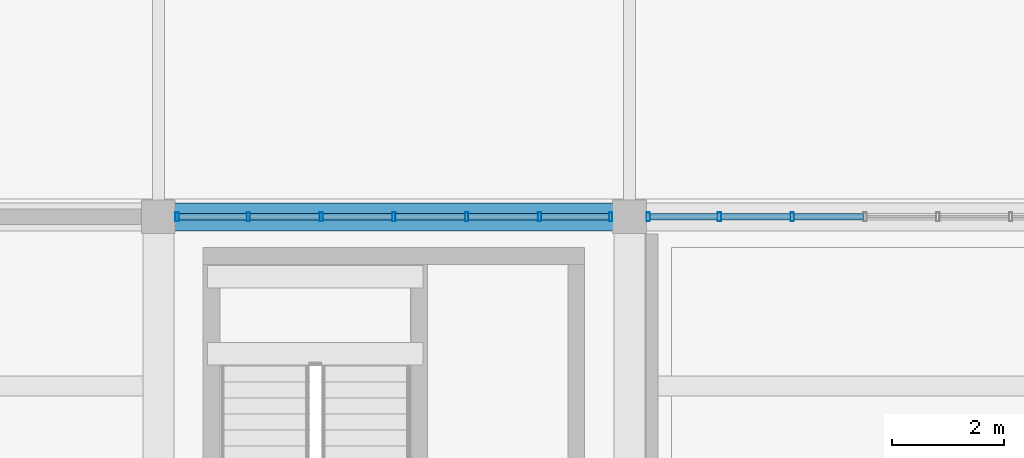
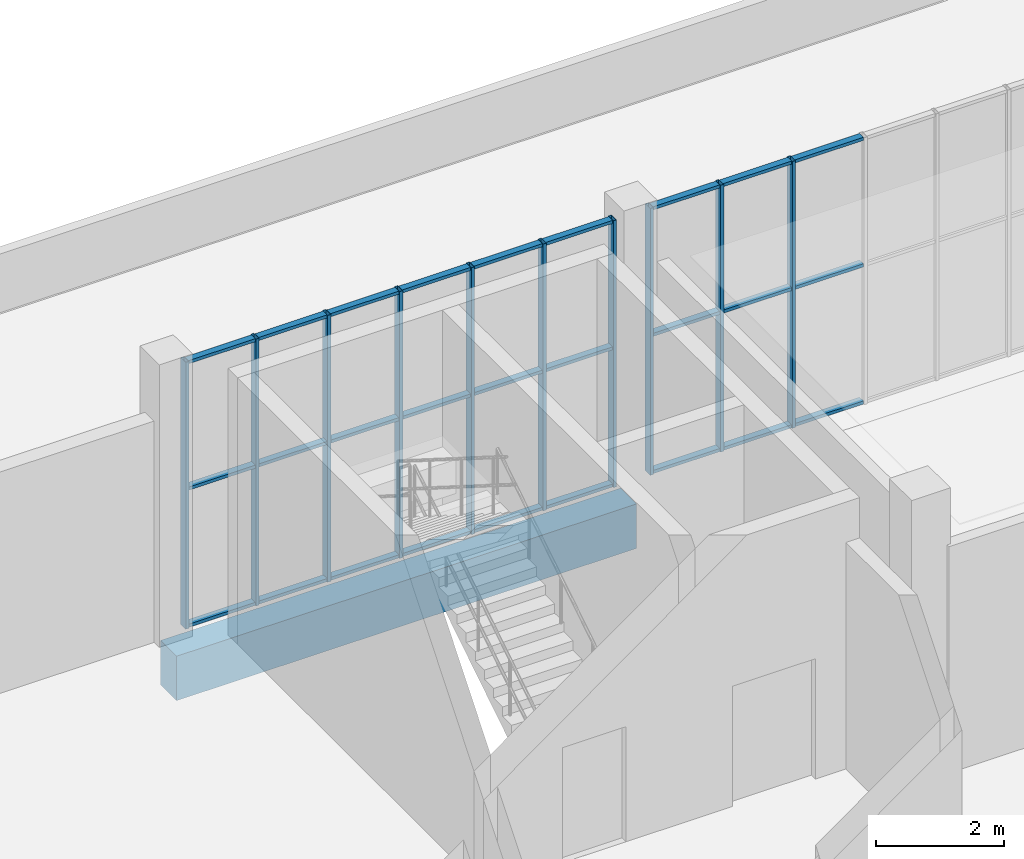
# One storey, part 85 of 132: 37 members, 1 beam, 2 elements without a shape of their own.
"""IFC4 building model written with IfcOpenShell, lengths in metres."""

from ifc_helpers import new_model, si_unit, direction, frame, origin, origin_2d, place, context, subcontext, project, spatial, rectangle, hollow_rectangle, extrude, material, material_profile, profile_set, type_object, element, aggregate, save


model = new_model("IFC4")

# Units and contexts
model_context = context("Model", 3, precision=1e-05, world=origin(), true_north=direction((0.0, 1.0)))
body_context = subcontext(model_context, "Body", "Model", "MODEL_VIEW")
ifc_project = project(units=[si_unit("LENGTHUNIT", "METRE"), si_unit("AREAUNIT", "SQUARE_METRE"), si_unit("VOLUMEUNIT", "CUBIC_METRE"), si_unit("PLANEANGLEUNIT", "RADIAN"), si_unit("MASSUNIT", "GRAM", prefix="KILO")], contexts=[model_context])

# Site, building, storey
site_placement = place(None, origin())
site = spatial("IfcSite", under=ifc_project, at=site_placement, CompositionType="ELEMENT")
building_placement = place(site_placement, origin())
building = spatial("IfcBuilding", under=site, at=building_placement, Name="Khurvash Pelagic Aquarium", CompositionType="ELEMENT")
storey_placement = place(building_placement, frame((0.0, 0.0, 5.39990234375)))
storey = spatial("IfcBuildingStorey", under=building, at=storey_placement, Name="L01", CompositionType="ELEMENT", Elevation=5.39990234375)

# Curtain wall, members
ifc_material_1 = material(Name="Anodised aluminium and low-E laminated glass", Category="aluminium")
curtain_wall_type = type_object("IfcCurtainWallType", Name="CW-05", PredefinedType="USERDEFINED", material=ifc_material_1)
curtain_wall_1_placement = place(storey_placement, origin())
curtain_wall_1 = element("IfcCurtainWall", 1, at=curtain_wall_1_placement, inside=storey, type_object=curtain_wall_type, Name="L01 Facade Unitised Curtain Wall CW-05 0117", ObjectType="UNITISED CURTAIN WALL", PredefinedType="USERDEFINED")
ifc_material_2 = material(Name="Extruded aluminium AW-6063-T6", Category="aluminium")
ifc_material_profile_1 = material_profile(ifc_material_2, hollow_rectangle(XDim=0.06005859375, YDim=0.159912109375, WallThickness=0.00390625, at=origin_2d()), Name="CWM60X160X4")
ifc_profile_set_1 = profile_set([ifc_material_profile_1], Name="Extruded aluminium AW-6063-T6")
member_type_1 = type_object("IfcMemberType", Name="CM-02", PredefinedType="MULLION", material=ifc_profile_set_1)
member_1_placement = place(storey_placement, frame((78.501708984375, 102.14990234375, 0.0), z_axis=(0.0, 0.0, 1.0), x_axis=(-1.0, 0.0, 0.0)))
member_1 = element("IfcMember", 2, at=member_1_placement, type_object=member_type_1, Name="CW-05 mullion 5", PredefinedType="MULLION", context=body_context, shape_type="SweptSolid", body=[
    extrude(hollow_rectangle(XDim=0.06005859375, YDim=0.159912109375, WallThickness=0.00390625, at=origin_2d()), origin(), (0.0, 0.0, 1.0), 5.10009765625),
])
member_2_placement = place(storey_placement, frame((77.203369140625, 102.14990234375, 0.0), z_axis=(0.0, 0.0, 1.0), x_axis=(-1.0, 0.0, 0.0)))
member_2 = element("IfcMember", 3, at=member_2_placement, type_object=member_type_1, Name="CW-05 mullion 6", PredefinedType="MULLION", context=body_context, shape_type="SweptSolid", body=[
    extrude(hollow_rectangle(XDim=0.06005859375, YDim=0.159912109375, WallThickness=0.00390625, at=origin_2d()), origin(), (0.0, 0.0, 1.0), 5.10009765625),
])
member_3_placement = place(storey_placement, frame((75.93505859375, 102.14990234375, 0.0), z_axis=(0.0, 0.0, 1.0), x_axis=(-1.0, 0.0, 0.0)))
member_3 = element("IfcMember", 4, at=member_3_placement, type_object=member_type_1, Name="CW-05 mullion 7", PredefinedType="MULLION", context=body_context, shape_type="SweptSolid", body=[
    extrude(hollow_rectangle(XDim=0.06005859375, YDim=0.159912109375, WallThickness=0.00390625, at=origin_2d()), origin(), (0.0, 0.0, 1.0), 5.10009765625),
])

curtain_wall_2_placement = place(storey_placement, origin())
curtain_wall_2 = element("IfcCurtainWall", 5, at=curtain_wall_2_placement, inside=storey, type_object=curtain_wall_type, Name="L01 Facade Unitised Curtain Wall CW-05 0118", ObjectType="UNITISED CURTAIN WALL", PredefinedType="USERDEFINED")
member_4_placement = place(storey_placement, frame((75.264892578125, 102.14990234375, 0.0), z_axis=(0.0, 0.0, 1.0), x_axis=(-1.0, 0.0, 0.0)))
member_4 = element("IfcMember", 6, at=member_4_placement, type_object=member_type_1, Name="CW-05 mullion 1", PredefinedType="MULLION", context=body_context, shape_type="SweptSolid", body=[
    extrude(hollow_rectangle(XDim=0.06005859375, YDim=0.159912109375, WallThickness=0.00390625, at=origin_2d()), origin(), (0.0, 0.0, 1.0), 5.10009765625),
])
member_5_placement = place(storey_placement, frame((73.99658203125, 102.14990234375, 0.0), z_axis=(0.0, 0.0, 1.0), x_axis=(-1.0, 0.0, 0.0)))
member_5 = element("IfcMember", 7, at=member_5_placement, type_object=member_type_1, Name="CW-05 mullion 2", PredefinedType="MULLION", context=body_context, shape_type="SweptSolid", body=[
    extrude(hollow_rectangle(XDim=0.06005859375, YDim=0.159912109375, WallThickness=0.00390625, at=origin_2d()), origin(), (0.0, 0.0, 1.0), 5.10009765625),
])
member_6_placement = place(storey_placement, frame((72.6982421875, 102.14990234375, 0.0), z_axis=(0.0, 0.0, 1.0), x_axis=(-1.0, 0.0, 0.0)))
member_6 = element("IfcMember", 8, at=member_6_placement, type_object=member_type_1, Name="CW-05 mullion 3", PredefinedType="MULLION", context=body_context, shape_type="SweptSolid", body=[
    extrude(hollow_rectangle(XDim=0.06005859375, YDim=0.159912109375, WallThickness=0.00390625, at=origin_2d()), origin(), (0.0, 0.0, 1.0), 5.10009765625),
])
member_7_placement = place(storey_placement, frame((71.39990234375, 102.14990234375, 0.0), z_axis=(0.0, 0.0, 1.0), x_axis=(-1.0, 0.0, 0.0)))
member_7 = element("IfcMember", 9, at=member_7_placement, type_object=member_type_1, Name="CW-05 mullion 4", PredefinedType="MULLION", context=body_context, shape_type="SweptSolid", body=[
    extrude(hollow_rectangle(XDim=0.06005859375, YDim=0.159912109375, WallThickness=0.00390625, at=origin_2d()), origin(), (0.0, 0.0, 1.0), 5.10009765625),
])
member_8_placement = place(storey_placement, frame((70.1015625, 102.14990234375, 0.0), z_axis=(0.0, 0.0, 1.0), x_axis=(-1.0, 0.0, 0.0)))
member_8 = element("IfcMember", 10, at=member_8_placement, type_object=member_type_1, Name="CW-05 mullion 5", PredefinedType="MULLION", context=body_context, shape_type="SweptSolid", body=[
    extrude(hollow_rectangle(XDim=0.06005859375, YDim=0.159912109375, WallThickness=0.00390625, at=origin_2d()), origin(), (0.0, 0.0, 1.0), 5.10009765625),
])
member_9_placement = place(storey_placement, frame((68.80322265625, 102.14990234375, 0.0), z_axis=(0.0, 0.0, 1.0), x_axis=(-1.0, 0.0, 0.0)))
member_9 = element("IfcMember", 11, at=member_9_placement, type_object=member_type_1, Name="CW-05 mullion 6", PredefinedType="MULLION", context=body_context, shape_type="SweptSolid", body=[
    extrude(hollow_rectangle(XDim=0.06005859375, YDim=0.159912109375, WallThickness=0.00390625, at=origin_2d()), origin(), (0.0, 0.0, 1.0), 5.10009765625),
])
member_10_placement = place(storey_placement, frame((67.534912109375, 102.14990234375, 0.0), z_axis=(0.0, 0.0, 1.0), x_axis=(-1.0, 0.0, 0.0)))
member_10 = element("IfcMember", 12, at=member_10_placement, type_object=member_type_1, Name="CW-05 mullion 7", PredefinedType="MULLION", context=body_context, shape_type="SweptSolid", body=[
    extrude(hollow_rectangle(XDim=0.06005859375, YDim=0.159912109375, WallThickness=0.00390625, at=origin_2d()), origin(), (0.0, 0.0, 1.0), 5.10009765625),
])

# Member
ifc_material_profile_2 = material_profile(ifc_material_2, hollow_rectangle(XDim=0.1201171875, YDim=0.06005859375, WallThickness=0.00390625, at=origin_2d()), Name="CWT120X60X4")
ifc_profile_set_2 = profile_set([ifc_material_profile_2], Name="Extruded aluminium AW-6063-T6")
member_type_2 = type_object("IfcMemberType", Name="CT-02", PredefinedType="USERDEFINED", material=ifc_profile_set_2)
member_11_placement = place(storey_placement, frame((79.77001953125, 102.14990234375, 0.030029296875), z_axis=(-1.0, 0.0, 0.0), x_axis=(0.0, -1.0, 0.0)))
member_11 = element("IfcMember", 13, at=member_11_placement, type_object=member_type_2, Name="CW-05 transom 4.1", ObjectType="TRANSOM", PredefinedType="USERDEFINED", context=body_context, shape_type="SweptSolid", body=[
    extrude(hollow_rectangle(XDim=0.1201171875, YDim=0.06005859375, WallThickness=0.00390625, at=origin_2d()), origin(), (0.0, 0.0, 1.0), 1.23828125),
])

member_12_placement = place(storey_placement, frame((79.77001953125, 102.14990234375, 2.652099609375), z_axis=(-1.0, 0.0, 0.0), x_axis=(0.0, -1.0, 0.0)))
member_12 = element("IfcMember", 14, at=member_12_placement, type_object=member_type_2, Name="CW-05 transom 4.2", ObjectType="TRANSOM", PredefinedType="USERDEFINED", context=body_context, shape_type="SweptSolid", body=[
    extrude(hollow_rectangle(XDim=0.1201171875, YDim=0.06005859375, WallThickness=0.00390625, at=origin_2d()), origin(), (0.0, 0.0, 1.0), 1.23828125),
])

member_13_placement = place(storey_placement, frame((79.77001953125, 102.14990234375, 5.070068359375), z_axis=(-1.0, 0.0, 0.0), x_axis=(0.0, -1.0, 0.0)))
member_13 = element("IfcMember", 15, at=member_13_placement, type_object=member_type_2, Name="CW-05 transom 4.3", ObjectType="TRANSOM", PredefinedType="USERDEFINED", context=body_context, shape_type="SweptSolid", body=[
    extrude(hollow_rectangle(XDim=0.1201171875, YDim=0.06005859375, WallThickness=0.00390625, at=origin_2d()), origin(), (0.0, 0.0, 1.0), 1.23828125),
])

member_14_placement = place(storey_placement, frame((78.4716796875, 102.14990234375, 0.030029296875), z_axis=(-1.0, 0.0, 0.0), x_axis=(0.0, -1.0, 0.0)))
member_14 = element("IfcMember", 16, at=member_14_placement, type_object=member_type_2, Name="CW-05 transom 5.1", ObjectType="TRANSOM", PredefinedType="USERDEFINED", context=body_context, shape_type="SweptSolid", body=[
    extrude(hollow_rectangle(XDim=0.1201171875, YDim=0.06005859375, WallThickness=0.00390625, at=origin_2d()), origin(), (0.0, 0.0, 1.0), 1.23828125),
])

member_15_placement = place(storey_placement, frame((78.4716796875, 102.14990234375, 2.652099609375), z_axis=(-1.0, 0.0, 0.0), x_axis=(0.0, -1.0, 0.0)))
member_15 = element("IfcMember", 17, at=member_15_placement, type_object=member_type_2, Name="CW-05 transom 5.2", ObjectType="TRANSOM", PredefinedType="USERDEFINED", context=body_context, shape_type="SweptSolid", body=[
    extrude(hollow_rectangle(XDim=0.1201171875, YDim=0.06005859375, WallThickness=0.00390625, at=origin_2d()), origin(), (0.0, 0.0, 1.0), 1.23828125),
])

member_16_placement = place(storey_placement, frame((78.4716796875, 102.14990234375, 5.070068359375), z_axis=(-1.0, 0.0, 0.0), x_axis=(0.0, -1.0, 0.0)))
member_16 = element("IfcMember", 18, at=member_16_placement, type_object=member_type_2, Name="CW-05 transom 5.3", ObjectType="TRANSOM", PredefinedType="USERDEFINED", context=body_context, shape_type="SweptSolid", body=[
    extrude(hollow_rectangle(XDim=0.1201171875, YDim=0.06005859375, WallThickness=0.00390625, at=origin_2d()), origin(), (0.0, 0.0, 1.0), 1.23828125),
])

member_17_placement = place(storey_placement, frame((77.17333984375, 102.14990234375, 0.030029296875), z_axis=(-1.0, 0.0, 0.0), x_axis=(0.0, -1.0, 0.0)))
member_17 = element("IfcMember", 19, at=member_17_placement, type_object=member_type_2, Name="CW-05 transom 6.1", ObjectType="TRANSOM", PredefinedType="USERDEFINED", context=body_context, shape_type="SweptSolid", body=[
    extrude(hollow_rectangle(XDim=0.1201171875, YDim=0.06005859375, WallThickness=0.00390625, at=origin_2d()), origin(), (0.0, 0.0, 1.0), 1.208251953125),
])

member_18_placement = place(storey_placement, frame((77.17333984375, 102.14990234375, 2.652099609375), z_axis=(-1.0, 0.0, 0.0), x_axis=(0.0, -1.0, 0.0)))
member_18 = element("IfcMember", 20, at=member_18_placement, type_object=member_type_2, Name="CW-05 transom 6.2", ObjectType="TRANSOM", PredefinedType="USERDEFINED", context=body_context, shape_type="SweptSolid", body=[
    extrude(hollow_rectangle(XDim=0.1201171875, YDim=0.06005859375, WallThickness=0.00390625, at=origin_2d()), origin(), (0.0, 0.0, 1.0), 1.208251953125),
])

member_19_placement = place(storey_placement, frame((77.17333984375, 102.14990234375, 5.070068359375), z_axis=(-1.0, 0.0, 0.0), x_axis=(0.0, -1.0, 0.0)))
member_19 = element("IfcMember", 21, at=member_19_placement, type_object=member_type_2, Name="CW-05 transom 6.3", ObjectType="TRANSOM", PredefinedType="USERDEFINED", context=body_context, shape_type="SweptSolid", body=[
    extrude(hollow_rectangle(XDim=0.1201171875, YDim=0.06005859375, WallThickness=0.00390625, at=origin_2d()), origin(), (0.0, 0.0, 1.0), 1.208251953125),
])

aggregate(curtain_wall_1, [member_1, member_2, member_3, member_11, member_12, member_13, member_14, member_15, member_16, member_17, member_18, member_19])

member_20_placement = place(storey_placement, frame((75.235107421875, 102.14990234375, 0.030029296875), z_axis=(-1.0, 0.0, 0.0), x_axis=(0.0, -1.0, 0.0)))
member_20 = element("IfcMember", 22, at=member_20_placement, type_object=member_type_2, Name="CW-05 transom 1.1", ObjectType="TRANSOM", PredefinedType="USERDEFINED", context=body_context, shape_type="SweptSolid", body=[
    extrude(hollow_rectangle(XDim=0.1201171875, YDim=0.06005859375, WallThickness=0.00390625, at=origin_2d()), origin(), (0.0, 0.0, 1.0), 1.20849609375),
])

member_21_placement = place(storey_placement, frame((75.235107421875, 102.14990234375, 2.652099609375), z_axis=(-1.0, 0.0, 0.0), x_axis=(0.0, -1.0, 0.0)))
member_21 = element("IfcMember", 23, at=member_21_placement, type_object=member_type_2, Name="CW-05 transom 1.2", ObjectType="TRANSOM", PredefinedType="USERDEFINED", context=body_context, shape_type="SweptSolid", body=[
    extrude(hollow_rectangle(XDim=0.1201171875, YDim=0.06005859375, WallThickness=0.00390625, at=origin_2d()), origin(), (0.0, 0.0, 1.0), 1.20849609375),
])

member_22_placement = place(storey_placement, frame((75.235107421875, 102.14990234375, 5.070068359375), z_axis=(-1.0, 0.0, 0.0), x_axis=(0.0, -1.0, 0.0)))
member_22 = element("IfcMember", 24, at=member_22_placement, type_object=member_type_2, Name="CW-05 transom 1.3", ObjectType="TRANSOM", PredefinedType="USERDEFINED", context=body_context, shape_type="SweptSolid", body=[
    extrude(hollow_rectangle(XDim=0.1201171875, YDim=0.06005859375, WallThickness=0.00390625, at=origin_2d()), origin(), (0.0, 0.0, 1.0), 1.20849609375),
])

member_23_placement = place(storey_placement, frame((73.966552734375, 102.14990234375, 0.030029296875), z_axis=(-1.0, 0.0, 0.0), x_axis=(0.0, -1.0, 0.0)))
member_23 = element("IfcMember", 25, at=member_23_placement, type_object=member_type_2, Name="CW-05 transom 2.1", ObjectType="TRANSOM", PredefinedType="USERDEFINED", context=body_context, shape_type="SweptSolid", body=[
    extrude(hollow_rectangle(XDim=0.1201171875, YDim=0.06005859375, WallThickness=0.00390625, at=origin_2d()), origin(), (0.0, 0.0, 1.0), 1.23828125),
])

member_24_placement = place(storey_placement, frame((73.966552734375, 102.14990234375, 2.652099609375), z_axis=(-1.0, 0.0, 0.0), x_axis=(0.0, -1.0, 0.0)))
member_24 = element("IfcMember", 26, at=member_24_placement, type_object=member_type_2, Name="CW-05 transom 2.2", ObjectType="TRANSOM", PredefinedType="USERDEFINED", context=body_context, shape_type="SweptSolid", body=[
    extrude(hollow_rectangle(XDim=0.1201171875, YDim=0.06005859375, WallThickness=0.00390625, at=origin_2d()), origin(), (0.0, 0.0, 1.0), 1.23828125),
])

member_25_placement = place(storey_placement, frame((73.966552734375, 102.14990234375, 5.070068359375), z_axis=(-1.0, 0.0, 0.0), x_axis=(0.0, -1.0, 0.0)))
member_25 = element("IfcMember", 27, at=member_25_placement, type_object=member_type_2, Name="CW-05 transom 2.3", ObjectType="TRANSOM", PredefinedType="USERDEFINED", context=body_context, shape_type="SweptSolid", body=[
    extrude(hollow_rectangle(XDim=0.1201171875, YDim=0.06005859375, WallThickness=0.00390625, at=origin_2d()), origin(), (0.0, 0.0, 1.0), 1.23828125),
])

member_26_placement = place(storey_placement, frame((72.668212890625, 102.14990234375, 0.030029296875), z_axis=(-1.0, 0.0, 0.0), x_axis=(0.0, -1.0, 0.0)))
member_26 = element("IfcMember", 28, at=member_26_placement, type_object=member_type_2, Name="CW-05 transom 3.1", ObjectType="TRANSOM", PredefinedType="USERDEFINED", context=body_context, shape_type="SweptSolid", body=[
    extrude(hollow_rectangle(XDim=0.1201171875, YDim=0.06005859375, WallThickness=0.00390625, at=origin_2d()), origin(), (0.0, 0.0, 1.0), 1.23828125),
])

member_27_placement = place(storey_placement, frame((72.668212890625, 102.14990234375, 2.652099609375), z_axis=(-1.0, 0.0, 0.0), x_axis=(0.0, -1.0, 0.0)))
member_27 = element("IfcMember", 29, at=member_27_placement, type_object=member_type_2, Name="CW-05 transom 3.2", ObjectType="TRANSOM", PredefinedType="USERDEFINED", context=body_context, shape_type="SweptSolid", body=[
    extrude(hollow_rectangle(XDim=0.1201171875, YDim=0.06005859375, WallThickness=0.00390625, at=origin_2d()), origin(), (0.0, 0.0, 1.0), 1.23828125),
])

member_28_placement = place(storey_placement, frame((72.668212890625, 102.14990234375, 5.070068359375), z_axis=(-1.0, 0.0, 0.0), x_axis=(0.0, -1.0, 0.0)))
member_28 = element("IfcMember", 30, at=member_28_placement, type_object=member_type_2, Name="CW-05 transom 3.3", ObjectType="TRANSOM", PredefinedType="USERDEFINED", context=body_context, shape_type="SweptSolid", body=[
    extrude(hollow_rectangle(XDim=0.1201171875, YDim=0.06005859375, WallThickness=0.00390625, at=origin_2d()), origin(), (0.0, 0.0, 1.0), 1.23828125),
])

member_29_placement = place(storey_placement, frame((71.3701171875, 102.14990234375, 0.030029296875), z_axis=(-1.0, 0.0, 0.0), x_axis=(0.0, -1.0, 0.0)))
member_29 = element("IfcMember", 31, at=member_29_placement, type_object=member_type_2, Name="CW-05 transom 4.1", ObjectType="TRANSOM", PredefinedType="USERDEFINED", context=body_context, shape_type="SweptSolid", body=[
    extrude(hollow_rectangle(XDim=0.1201171875, YDim=0.06005859375, WallThickness=0.00390625, at=origin_2d()), origin(), (0.0, 0.0, 1.0), 1.238525390625),
])

member_30_placement = place(storey_placement, frame((71.3701171875, 102.14990234375, 2.652099609375), z_axis=(-1.0, 0.0, 0.0), x_axis=(0.0, -1.0, 0.0)))
member_30 = element("IfcMember", 32, at=member_30_placement, type_object=member_type_2, Name="CW-05 transom 4.2", ObjectType="TRANSOM", PredefinedType="USERDEFINED", context=body_context, shape_type="SweptSolid", body=[
    extrude(hollow_rectangle(XDim=0.1201171875, YDim=0.06005859375, WallThickness=0.00390625, at=origin_2d()), origin(), (0.0, 0.0, 1.0), 1.238525390625),
])

member_31_placement = place(storey_placement, frame((71.3701171875, 102.14990234375, 5.070068359375), z_axis=(-1.0, 0.0, 0.0), x_axis=(0.0, -1.0, 0.0)))
member_31 = element("IfcMember", 33, at=member_31_placement, type_object=member_type_2, Name="CW-05 transom 4.3", ObjectType="TRANSOM", PredefinedType="USERDEFINED", context=body_context, shape_type="SweptSolid", body=[
    extrude(hollow_rectangle(XDim=0.1201171875, YDim=0.06005859375, WallThickness=0.00390625, at=origin_2d()), origin(), (0.0, 0.0, 1.0), 1.238525390625),
])

member_32_placement = place(storey_placement, frame((70.07177734375, 102.14990234375, 0.030029296875), z_axis=(-1.0, 0.0, 0.0), x_axis=(0.0, -1.0, 0.0)))
member_32 = element("IfcMember", 34, at=member_32_placement, type_object=member_type_2, Name="CW-05 transom 5.1", ObjectType="TRANSOM", PredefinedType="USERDEFINED", context=body_context, shape_type="SweptSolid", body=[
    extrude(hollow_rectangle(XDim=0.1201171875, YDim=0.06005859375, WallThickness=0.00390625, at=origin_2d()), origin(), (0.0, 0.0, 1.0), 1.238525390625),
])

member_33_placement = place(storey_placement, frame((70.07177734375, 102.14990234375, 2.652099609375), z_axis=(-1.0, 0.0, 0.0), x_axis=(0.0, -1.0, 0.0)))
member_33 = element("IfcMember", 35, at=member_33_placement, type_object=member_type_2, Name="CW-05 transom 5.2", ObjectType="TRANSOM", PredefinedType="USERDEFINED", context=body_context, shape_type="SweptSolid", body=[
    extrude(hollow_rectangle(XDim=0.1201171875, YDim=0.06005859375, WallThickness=0.00390625, at=origin_2d()), origin(), (0.0, 0.0, 1.0), 1.238525390625),
])

member_34_placement = place(storey_placement, frame((70.07177734375, 102.14990234375, 5.070068359375), z_axis=(-1.0, 0.0, 0.0), x_axis=(0.0, -1.0, 0.0)))
member_34 = element("IfcMember", 36, at=member_34_placement, type_object=member_type_2, Name="CW-05 transom 5.3", ObjectType="TRANSOM", PredefinedType="USERDEFINED", context=body_context, shape_type="SweptSolid", body=[
    extrude(hollow_rectangle(XDim=0.1201171875, YDim=0.06005859375, WallThickness=0.00390625, at=origin_2d()), origin(), (0.0, 0.0, 1.0), 1.238525390625),
])

member_35_placement = place(storey_placement, frame((68.7734375, 102.14990234375, 0.030029296875), z_axis=(-1.0, 0.0, 0.0), x_axis=(0.0, -1.0, 0.0)))
member_35 = element("IfcMember", 37, at=member_35_placement, type_object=member_type_2, Name="CW-05 transom 6.1", ObjectType="TRANSOM", PredefinedType="USERDEFINED", context=body_context, shape_type="SweptSolid", body=[
    extrude(hollow_rectangle(XDim=0.1201171875, YDim=0.06005859375, WallThickness=0.00390625, at=origin_2d()), origin(), (0.0, 0.0, 1.0), 1.20849609375),
])

member_36_placement = place(storey_placement, frame((68.7734375, 102.14990234375, 2.652099609375), z_axis=(-1.0, 0.0, 0.0), x_axis=(0.0, -1.0, 0.0)))
member_36 = element("IfcMember", 38, at=member_36_placement, type_object=member_type_2, Name="CW-05 transom 6.2", ObjectType="TRANSOM", PredefinedType="USERDEFINED", context=body_context, shape_type="SweptSolid", body=[
    extrude(hollow_rectangle(XDim=0.1201171875, YDim=0.06005859375, WallThickness=0.00390625, at=origin_2d()), origin(), (0.0, 0.0, 1.0), 1.20849609375),
])

member_37_placement = place(storey_placement, frame((68.7734375, 102.14990234375, 5.070068359375), z_axis=(-1.0, 0.0, 0.0), x_axis=(0.0, -1.0, 0.0)))
member_37 = element("IfcMember", 39, at=member_37_placement, type_object=member_type_2, Name="CW-05 transom 6.3", ObjectType="TRANSOM", PredefinedType="USERDEFINED", context=body_context, shape_type="SweptSolid", body=[
    extrude(hollow_rectangle(XDim=0.1201171875, YDim=0.06005859375, WallThickness=0.00390625, at=origin_2d()), origin(), (0.0, 0.0, 1.0), 1.20849609375),
])

aggregate(curtain_wall_2, [member_4, member_5, member_6, member_7, member_8, member_9, member_10, member_20, member_21, member_22, member_23, member_24, member_25, member_26, member_27, member_28, member_29, member_30, member_31, member_32, member_33, member_34, member_35, member_36, member_37])

# Beam
ifc_material_3 = material(Name="Concrete C40/50", Category="concrete")
ifc_material_profile_3 = material_profile(ifc_material_3, rectangle(XDim=0.5, YDim=0.85009765625, at=origin_2d()), Name="RC500X850")
ifc_profile_set_3 = profile_set([ifc_material_profile_3], Name="Concrete C40/50")
beam_type = type_object("IfcBeamType", Name="SEB-03", PredefinedType="SPANDREL", material=ifc_profile_set_3)
beam_placement = place(storey_placement, frame((67.239990234375, 102.14990234375, -0.744873046875), z_axis=(1.0, 0.0, 0.0), x_axis=(0.0, 1.0, 0.0)))
element("IfcBeam", 40, at=beam_placement, inside=storey, type_object=beam_type, Name="L01 Primary Girder SEB-03 00341", PredefinedType="SPANDREL", context=body_context, shape_type="SweptSolid", body=[
    extrude(rectangle(XDim=0.5, YDim=0.85009765625, at=origin_2d()), origin(), (0.0, 0.0, 1.0), 8.320068359375),
])

save(model, "model.ifc")
